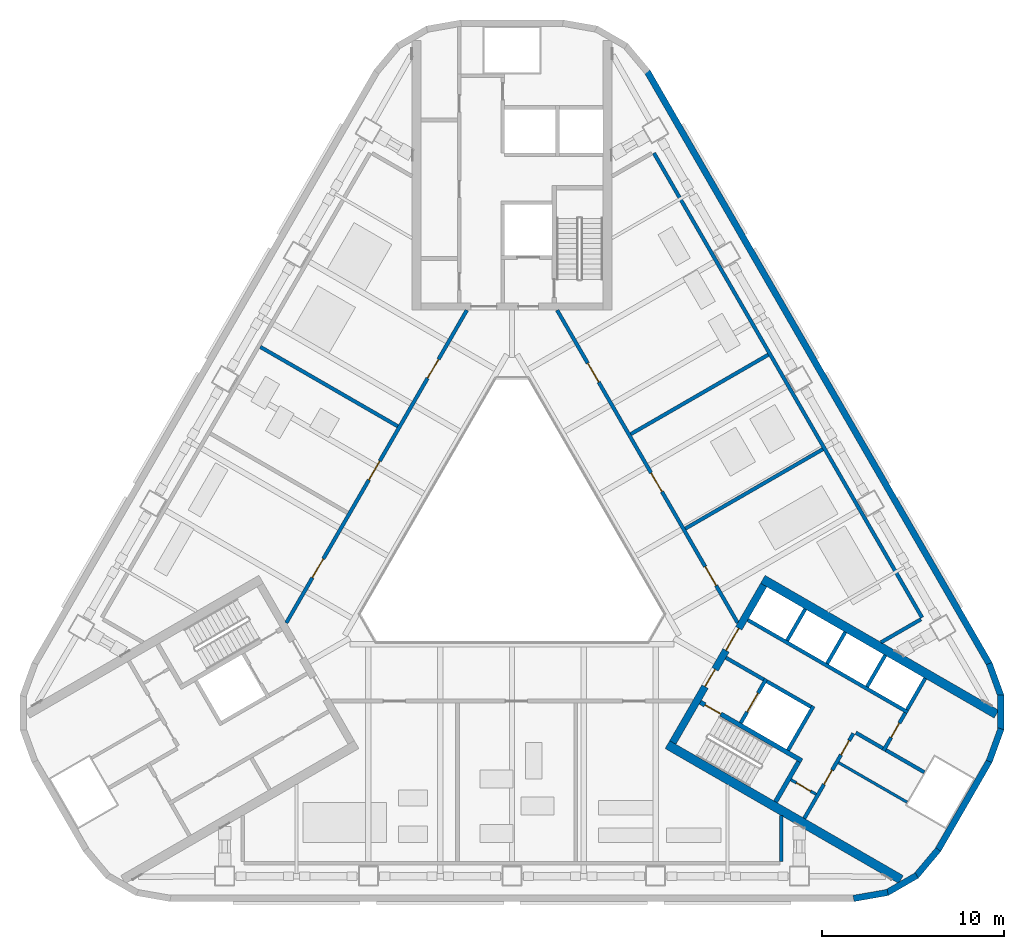
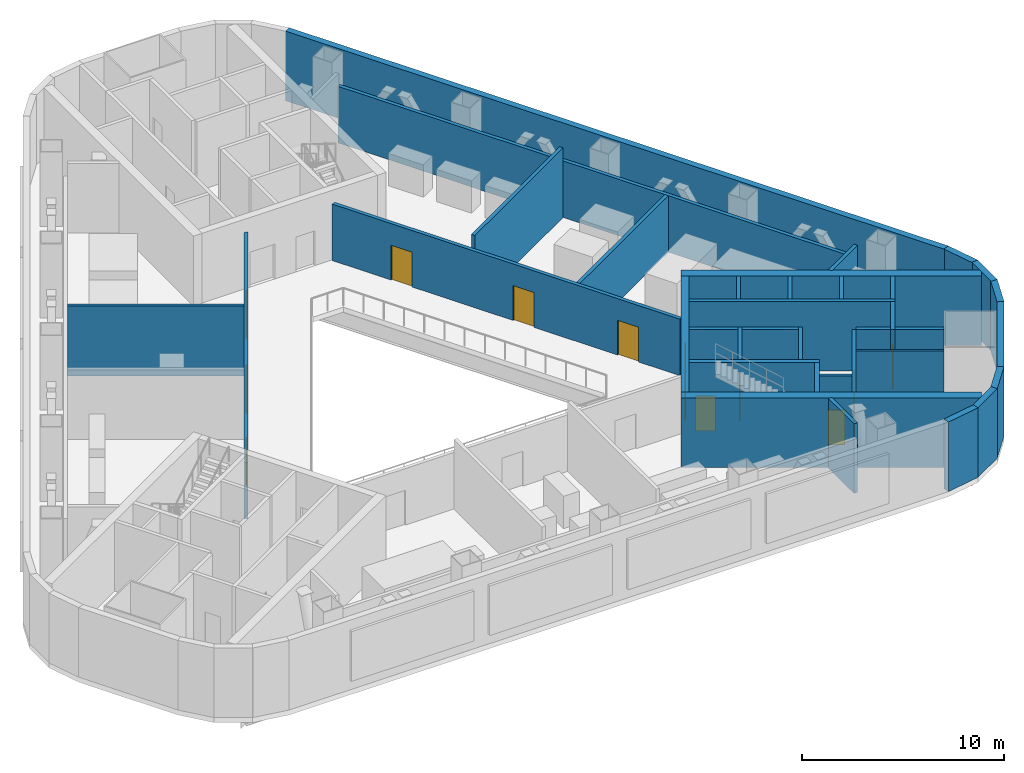
# One storey, part 8 of 15: 36 walls, 14 doors, 14 openings.
"""IFC4 building model written with IfcOpenShell, lengths in metres."""

from ifc_helpers import new_model, si_unit, direction, frame, frame_2d, origin, place, context, subcontext, project, spatial, rectangle, extrude, material, layer, layer_set, type_object, element, fill, save


model = new_model("IFC4")

# Units and contexts
model_context = context("Model", 3, precision=1e-05, world=origin(), true_north=direction((0.0, 1.0)))
body_context = subcontext(model_context, "Body", "Model", "MODEL_VIEW")
ifc_project = project(units=[si_unit("LENGTHUNIT", "METRE"), si_unit("AREAUNIT", "SQUARE_METRE"), si_unit("VOLUMEUNIT", "CUBIC_METRE"), si_unit("PLANEANGLEUNIT", "RADIAN"), si_unit("MASSUNIT", "GRAM", prefix="KILO")], contexts=[model_context])

# Site, building, storey
site_placement = place(None, origin())
site = spatial("IfcSite", under=ifc_project, at=site_placement, CompositionType="ELEMENT")
building_placement = place(site_placement, origin())
building = spatial("IfcBuilding", under=site, at=building_placement, Name="Apuvela Tower Hotel", CompositionType="ELEMENT")
storey_placement = place(building_placement, frame((0.0, 0.0, 37.5)))
storey = spatial("IfcBuildingStorey", under=building, at=storey_placement, Name="L06 Plant", CompositionType="ELEMENT", Elevation=37.5)

# Wall, openings, doors
ifc_material_1 = material(Name="Concrete C50/60", Category="concrete")
ifc_layer_1 = layer(ifc_material_1, 0.39990234375)
ifc_layer_set_1 = layer_set([ifc_layer_1], Name="COR-WALL-CORE-400")
wall_type_1 = type_object("IfcWallType", Name="COR-WALL-CORE-400", PredefinedType="SHEAR", material=ifc_layer_set_1)
wall_1_placement = place(storey_placement, frame((8.844970703125, -10.880126953125, 0.0), z_axis=(0.0, 0.0, 1.0), x_axis=(0.500004234368, 0.866022959057, 0.0)))
wall_1 = element("IfcWall", 1, at=wall_1_placement, inside=storey, type_object=wall_type_1, Name="Core wall SE", PredefinedType="SHEAR", context=body_context, shape_type="SweptSolid", body=[
    extrude(rectangle(XDim=10.0, YDim=0.39990234375, at=frame_2d((5.0, 0.0))), origin(), (0.0, 0.0, 1.0), 4.199951171875),
])
opening_1_placement = place(wall_1_placement, frame((3.550048828125, 0.0, 0.0)))
opening_1 = element("IfcOpeningElement", 2, at=opening_1_placement, cuts=wall_1, Name="Opening E-FD", PredefinedType="OPENING", context=body_context, shape_type="SweptSolid", body=[
    extrude(rectangle(XDim=1.10009765625, YDim=2.10009765625, at=frame_2d((0.550048828125, 1.050048828125))), frame((0.0, 0.2099609375, 0.0), z_axis=(0.0, -1.0, 0.0), x_axis=(1.0, 0.0, 0.0)), (0.0, 0.0, 1.0), 0.419921875),
])
opening_2_placement = place(wall_1_placement, frame((5.85009765625, 0.0, 0.0)))
opening_2 = element("IfcOpeningElement", 3, at=opening_2_placement, cuts=wall_1, Name="Opening E-GD", PredefinedType="OPENING", context=body_context, shape_type="SweptSolid", body=[
    extrude(rectangle(XDim=1.39990234375, YDim=2.10009765625, at=frame_2d((0.699951171875, 1.050048828125))), frame((0.0, 0.2099609375, 0.0), z_axis=(0.0, -1.0, 0.0), x_axis=(1.0, 0.0, 0.0)), (0.0, 0.0, 1.0), 0.419921875),
])
ifc_material_2 = material(Name="Steel fire door, powder coated", Category="steel")
door_type_1 = type_object("IfcDoorType", Name="COR-FD-1100", OperationType="NOTDEFINED", PredefinedType="DOOR", material=ifc_material_2)
door_1_placement = place(opening_1_placement, frame((1.10009765625, 0.0, 0.0), z_axis=(0.0, 0.0, 1.0), x_axis=(-1.0, 0.0, 0.0)))
door_1 = element("IfcDoor", 4, at=door_1_placement, inside=storey, type_object=door_type_1, Name="Firefighting lobby door E-FD", OperationType="SINGLE_SWING_LEFT", OverallHeight=2.10009765625, OverallWidth=1.10009765625, PredefinedType="DOOR", context=body_context, shape_type="SweptSolid", body=[
    extrude(rectangle(XDim=1.10009765625, YDim=2.10009765625, at=frame_2d((0.550048828125, 1.050048828125))), frame((0.0, 0.02490234375, 0.0), z_axis=(0.0, -1.0, 0.0), x_axis=(1.0, 0.0, 0.0)), (0.0, 0.0, 1.0), 0.050048828125),
])
fill(opening_1, door_1)
ifc_material_3 = material(Name="Glazed steel fire door", Category="steel")
door_type_2 = type_object("IfcDoorType", Name="COR-GD-1400", OperationType="DOUBLE_DOOR_SINGLE_SWING", PredefinedType="DOOR", material=ifc_material_3)
door_2_placement = place(opening_2_placement, frame((1.39990234375, 0.0, 0.0), z_axis=(0.0, 0.0, 1.0), x_axis=(-1.0, 0.0, 0.0)))
door_2 = element("IfcDoor", 5, at=door_2_placement, inside=storey, type_object=door_type_2, Name="Lift lobby door E-GD", OperationType="DOUBLE_DOOR_SINGLE_SWING", OverallHeight=2.10009765625, OverallWidth=1.39990234375, PredefinedType="DOOR", context=body_context, shape_type="SweptSolid", body=[
    extrude(rectangle(XDim=1.39990234375, YDim=2.10009765625, at=frame_2d((0.699951171875, 1.050048828125))), frame((0.0, 0.02490234375, 0.0), z_axis=(0.0, -1.0, 0.0), x_axis=(1.0, 0.0, 0.0)), (0.0, 0.0, 1.0), 0.050048828125),
])
fill(opening_2, door_2)

# Walls
ifc_layer_2 = layer(ifc_material_1, 0.5)
ifc_layer_set_2 = layer_set([ifc_layer_2], Name="COR-WALL-CORE-500")
wall_type_2 = type_object("IfcWallType", Name="COR-WALL-CORE-500", PredefinedType="SHEAR", material=ifc_layer_set_2)
for number, where, z_axis, x_axis, name in (
    (6, (8.546630859375, -10.99658203125, 0.0), (0.0, 0.0, 1.0), (0.866025009528, -0.500000682871, 0.0), "Core wall SE"),
    (7, (13.796630859375, -1.9033203125, 0.0), (0.0, 0.0, 1.0), (0.866025009528, -0.500000682871, 0.0), "Core wall SE"),
):
    element("IfcWall", number, at=place(storey_placement, frame(where, z_axis=z_axis, x_axis=x_axis)), inside=storey, type_object=wall_type_2, Name=name, PredefinedType="SHEAR", context=body_context, shape_type="SweptSolid", body=[
        extrude(rectangle(XDim=14.8369140625, YDim=0.5, at=frame_2d((7.41845703125, 0.0))), origin(), (0.0, 0.0, 1.0), 4.199951171875),
    ])

# Wall, opening, door
ifc_material_4 = material(Name="Blockwork 150 mm plastered", Category="masonry")
ifc_layer_3 = layer(ifc_material_4, 0.14990234375)
ifc_layer_set_3 = layer_set([ifc_layer_3], Name="COR-WALL-PART-150")
wall_type_3 = type_object("IfcWallType", Name="COR-WALL-PART-150", PredefinedType="PARTITIONING", material=ifc_layer_set_3)
wall_2_placement = place(storey_placement, frame((15.341552734375, -12.927734375, 0.0), z_axis=(0.0, 0.0, 1.0), x_axis=(0.865989903783, -0.500061482766, 0.0)))
wall_2 = element("IfcWall", 8, at=wall_2_placement, inside=storey, type_object=wall_type_3, Name="Partition SE", PredefinedType="PARTITIONING", context=body_context, shape_type="SweptSolid", body=[
    extrude(rectangle(XDim=1.599853515625, YDim=0.14990234375, at=frame_2d((0.7998046875, 0.0))), origin(), (0.0, 0.0, 1.0), 4.199951171875),
])
opening_3_placement = place(wall_2_placement, frame((0.35009765625, 0.0, 0.0)))
opening_3 = element("IfcOpeningElement", 9, at=opening_3_placement, cuts=wall_2, Name="Opening E-RD", PredefinedType="OPENING", context=body_context, shape_type="SweptSolid", body=[
    extrude(rectangle(XDim=0.89990234375, YDim=2.10009765625, at=frame_2d((0.449951171875, 1.050048828125))), frame((0.0, 0.0849609375, 0.0), z_axis=(0.0, -1.0, 0.0), x_axis=(1.0, 0.0, 0.0)), (0.0, 0.0, 1.0), 0.169921875),
])
ifc_material_5 = material(Name="Steel access door, powder coated", Category="steel")
door_type_3 = type_object("IfcDoorType", Name="COR-RD-900", OperationType="NOTDEFINED", PredefinedType="DOOR", material=ifc_material_5)
door_3_placement = place(opening_3_placement, frame((0.89990234375, 0.0, 0.0), z_axis=(0.0, 0.0, 1.0), x_axis=(-1.0, 0.0, 0.0)))
door_3 = element("IfcDoor", 10, at=door_3_placement, inside=storey, type_object=door_type_3, Name="Riser door E-RD", OperationType="SINGLE_SWING_LEFT", OverallHeight=2.10009765625, OverallWidth=0.89990234375, PredefinedType="DOOR", context=body_context, shape_type="SweptSolid", body=[
    extrude(rectangle(XDim=0.89990234375, YDim=2.10009765625, at=frame_2d((0.449951171875, 1.050048828125))), frame((0.0, 0.02490234375, 0.0), z_axis=(0.0, -1.0, 0.0), x_axis=(1.0, 0.0, 0.0)), (0.0, 0.0, 1.0), 0.050048828125),
])
fill(opening_3, door_3)

# Wall
wall_3_placement = place(storey_placement, frame((17.962890625, -11.9873046875, 0.0), z_axis=(0.0, 0.0, 1.0), x_axis=(0.866013608182, -0.500020430026, 0.0)))
element("IfcWall", 11, at=wall_3_placement, inside=storey, type_object=wall_type_3, Name="Partition SE", PredefinedType="PARTITIONING", context=body_context, shape_type="SweptSolid", body=[
    extrude(rectangle(XDim=4.349853515625, YDim=0.14990234375, at=frame_2d((2.1748046875, 0.0))), origin(), (0.0, 0.0, 1.0), 4.199951171875),
])

# Wall, openings, doors
ifc_material_6 = material(Name="Blockwork 200 mm plastered", Category="masonry")
ifc_layer_4 = layer(ifc_material_6, 0.199951171875)
ifc_layer_set_4 = layer_set([ifc_layer_4], Name="COR-WALL-PART-200")
wall_type_4 = type_object("IfcWallType", Name="COR-WALL-PART-200", PredefinedType="PARTITIONING", material=ifc_layer_set_4)
wall_4_placement = place(storey_placement, frame((16.076171875, -15.05517578125, 0.0), z_axis=(0.0, 0.0, 1.0), x_axis=(0.499995103361, 0.866028230842, 0.0)))
wall_4 = element("IfcWall", 12, at=wall_4_placement, inside=storey, type_object=wall_type_4, Name="Partition SE", PredefinedType="PARTITIONING", context=body_context, shape_type="SweptSolid", body=[
    extrude(rectangle(XDim=5.39990234375, YDim=0.199951171875, at=frame_2d((2.699951171875, 0.0))), origin(), (0.0, 0.0, 1.0), 4.199951171875),
])
opening_4_placement = place(wall_4_placement, frame((2.16259765625, 0.0, 0.0)))
opening_4 = element("IfcOpeningElement", 13, at=opening_4_placement, cuts=wall_4, Name="Opening E-RS1", PredefinedType="OPENING", context=body_context, shape_type="SweptSolid", body=[
    extrude(rectangle(XDim=0.89990234375, YDim=2.10009765625, at=frame_2d((0.449951171875, 1.050048828125))), frame((0.0, 0.10986328125, 0.0), z_axis=(0.0, -1.0, 0.0), x_axis=(1.0, 0.0, 0.0)), (0.0, 0.0, 1.0), 0.219970703125),
])
opening_5_placement = place(wall_4_placement, frame((4.03759765625, 0.0, 0.0)))
opening_5 = element("IfcOpeningElement", 14, at=opening_5_placement, cuts=wall_4, Name="Opening E-RS2", PredefinedType="OPENING", context=body_context, shape_type="SweptSolid", body=[
    extrude(rectangle(XDim=0.89990234375, YDim=2.10009765625, at=frame_2d((0.449951171875, 1.050048828125))), frame((0.0, 0.10986328125, 0.0), z_axis=(0.0, -1.0, 0.0), x_axis=(1.0, 0.0, 0.0)), (0.0, 0.0, 1.0), 0.219970703125),
])
door_type_4 = type_object("IfcDoorType", Name="COR-DR-900", OperationType="NOTDEFINED", PredefinedType="DOOR", material=ifc_material_2)
door_4_placement = place(opening_4_placement, frame((0.89990234375, 0.0, 0.0), z_axis=(0.0, 0.0, 1.0), x_axis=(-1.0, 0.0, 0.0)))
door_4 = element("IfcDoor", 15, at=door_4_placement, inside=storey, type_object=door_type_4, Name="Store door E-RS1", OperationType="SINGLE_SWING_LEFT", OverallHeight=2.10009765625, OverallWidth=0.89990234375, PredefinedType="DOOR", context=body_context, shape_type="SweptSolid", body=[
    extrude(rectangle(XDim=0.89990234375, YDim=2.10009765625, at=frame_2d((0.449951171875, 1.050048828125))), frame((0.0, 0.02490234375, 0.0), z_axis=(0.0, -1.0, 0.0), x_axis=(1.0, 0.0, 0.0)), (0.0, 0.0, 1.0), 0.050048828125),
])
fill(opening_4, door_4)
door_5_placement = place(opening_5_placement, frame((0.89990234375, 0.0, 0.0), z_axis=(0.0, 0.0, 1.0), x_axis=(-1.0, 0.0, 0.0)))
door_5 = element("IfcDoor", 16, at=door_5_placement, inside=storey, type_object=door_type_4, Name="Store door E-RS2", OperationType="SINGLE_SWING_LEFT", OverallHeight=2.10009765625, OverallWidth=0.89990234375, PredefinedType="DOOR", context=body_context, shape_type="SweptSolid", body=[
    extrude(rectangle(XDim=0.89990234375, YDim=2.10009765625, at=frame_2d((0.449951171875, 1.050048828125))), frame((0.0, 0.02490234375, 0.0), z_axis=(0.0, -1.0, 0.0), x_axis=(1.0, 0.0, 0.0)), (0.0, 0.0, 1.0), 0.050048828125),
])
fill(opening_5, door_5)

# Wall
ifc_layer_5 = layer(ifc_material_1, 0.199951171875)
ifc_layer_set_5 = layer_set([ifc_layer_5], Name="COR-WALL-SHAFT-200")
wall_type_5 = type_object("IfcWallType", Name="COR-WALL-SHAFT-200", PredefinedType="SHEAR", material=ifc_layer_set_5)
wall_5_placement = place(storey_placement, frame((15.181396484375, -11.305419921875, 0.0), z_axis=(0.0, 0.0, 1.0), x_axis=(0.49994636267, 0.866056369097, 0.0)))
element("IfcWall", 17, at=wall_5_placement, inside=storey, type_object=wall_type_5, Name="Shaft wall SE", PredefinedType="SHEAR", context=body_context, shape_type="SweptSolid", body=[
    extrude(rectangle(XDim=2.800048828125, YDim=0.199951171875, at=frame_2d((1.39990234375, 0.0))), origin(), (0.0, 0.0, 1.0), 4.199951171875),
])

# Wall, opening, door
wall_6_placement = place(storey_placement, frame((12.583251953125, -9.805419921875, 0.0), z_axis=(0.0, 0.0, 1.0), x_axis=(0.49994636267, 0.866056369097, 0.0)))
wall_6 = element("IfcWall", 18, at=wall_6_placement, inside=storey, type_object=wall_type_5, Name="Shaft wall SE", PredefinedType="SHEAR", context=body_context, shape_type="SweptSolid", body=[
    extrude(rectangle(XDim=2.800048828125, YDim=0.199951171875, at=frame_2d((1.39990234375, 0.0))), origin(), (0.0, 0.0, 1.0), 4.199951171875),
])
opening_6_placement = place(wall_6_placement, frame((0.699951171875, 0.0, 0.0)))
opening_6 = element("IfcOpeningElement", 19, at=opening_6_placement, cuts=wall_6, Name="Opening E-LD-FS3", PredefinedType="OPENING", context=body_context, shape_type="SweptSolid", body=[
    extrude(rectangle(XDim=1.199951171875, YDim=2.10009765625, at=frame_2d((0.60009765625, 1.050048828125))), frame((0.0, 0.10986328125, 0.0), z_axis=(0.0, -1.0, 0.0), x_axis=(1.0, 0.0, 0.0)), (0.0, 0.0, 1.0), 0.219970703125),
])
ifc_material_7 = material(Name="Stainless steel lift landing door", Category="steel")
door_type_5 = type_object("IfcDoorType", Name="COR-LD-1200", OperationType="DOUBLE_DOOR_SLIDING", PredefinedType="DOOR", material=ifc_material_7)
door_6_placement = place(opening_6_placement, origin())
door_6 = element("IfcDoor", 20, at=door_6_placement, inside=storey, type_object=door_type_5, Name="Lift landing door E-LD-FS3", OperationType="DOUBLE_DOOR_SLIDING", OverallHeight=2.10009765625, OverallWidth=1.199951171875, PredefinedType="DOOR", context=body_context, shape_type="SweptSolid", body=[
    extrude(rectangle(XDim=1.199951171875, YDim=2.10009765625, at=frame_2d((0.60009765625, 1.050048828125))), frame((0.0, 0.02490234375, 0.0), z_axis=(0.0, -1.0, 0.0), x_axis=(1.0, 0.0, 0.0)), (0.0, 0.0, 1.0), 0.050048828125),
])
fill(opening_6, door_6)

# Walls
wall_7_placement = place(storey_placement, frame((11.76806640625, -6.217041015625, 0.0), z_axis=(0.0, 0.0, 1.0), x_axis=(0.866050077142, -0.499957262057, 0.0)))
element("IfcWall", 21, at=wall_7_placement, inside=storey, type_object=wall_type_5, Name="Shaft wall SE", PredefinedType="SHEAR", context=body_context, shape_type="SweptSolid", body=[
    extrude(rectangle(XDim=2.400146484375, YDim=0.199951171875, at=frame_2d((1.2001953125, 0.0))), origin(), (0.0, 0.0, 1.0), 4.199951171875),
])
wall_8_placement = place(storey_placement, frame((14.019775390625, -7.51708984375, 0.0), z_axis=(0.0, 0.0, 1.0), x_axis=(0.866034573852, -0.49998411664, 0.0)))
element("IfcWall", 22, at=wall_8_placement, inside=storey, type_object=wall_type_5, Name="Shaft wall SE", PredefinedType="SHEAR", context=body_context, shape_type="SweptSolid", body=[
    extrude(rectangle(XDim=2.7998046875, YDim=0.199951171875, at=frame_2d((1.39990234375, 0.0))), origin(), (0.0, 0.0, 1.0), 4.199951171875),
])
wall_9_placement = place(storey_placement, frame((12.968017578125, -4.138427734375, 0.0), z_axis=(0.0, 0.0, 1.0), x_axis=(0.866028328073, -0.49999493495, 0.0)))
element("IfcWall", 23, at=wall_9_placement, inside=storey, type_object=wall_type_5, Name="Shaft wall SE", PredefinedType="SHEAR", context=body_context, shape_type="SweptSolid", body=[
    extrude(rectangle(XDim=10.16015625, YDim=0.199951171875, at=frame_2d((5.080078125, 0.0))), origin(), (0.0, 0.0, 1.0), 4.199951171875),
])

# Wall, opening, door
wall_10_placement = place(storey_placement, frame((20.430419921875, -11.33349609375, 0.0), z_axis=(0.0, 0.0, 1.0), x_axis=(0.500001309137, 0.866024647952, 0.0)))
wall_10 = element("IfcWall", 24, at=wall_10_placement, inside=storey, type_object=wall_type_5, Name="Shaft wall SE", PredefinedType="SHEAR", context=body_context, shape_type="SweptSolid", body=[
    extrude(rectangle(XDim=2.39990234375, YDim=0.199951171875, at=frame_2d((1.199951171875, 0.0))), origin(), (0.0, 0.0, 1.0), 4.199951171875),
])
opening_7_placement = place(wall_10_placement, frame((0.85009765625, 0.0, 0.0)))
opening_7 = element("IfcOpeningElement", 25, at=opening_7_placement, cuts=wall_10, Name="Opening E-REP", PredefinedType="OPENING", context=body_context, shape_type="SweptSolid", body=[
    extrude(rectangle(XDim=0.89990234375, YDim=2.10009765625, at=frame_2d((0.449951171875, 1.050048828125))), frame((0.0, 0.10986328125, 0.0), z_axis=(0.0, -1.0, 0.0), x_axis=(1.0, 0.0, 0.0)), (0.0, 0.0, 1.0), 0.219970703125),
])
door_7_placement = place(opening_7_placement, frame((0.89990234375, 0.0, 0.0), z_axis=(0.0, 0.0, 1.0), x_axis=(-1.0, 0.0, 0.0)))
door_7 = element("IfcDoor", 26, at=door_7_placement, inside=storey, type_object=door_type_4, Name="Store door E-REP", OperationType="SINGLE_SWING_RIGHT", OverallHeight=2.10009765625, OverallWidth=0.89990234375, PredefinedType="DOOR", context=body_context, shape_type="SweptSolid", body=[
    extrude(rectangle(XDim=0.89990234375, YDim=2.10009765625, at=frame_2d((0.449951171875, 1.050048828125))), frame((0.0, 0.02490234375, 0.0), z_axis=(0.0, -1.0, 0.0), x_axis=(1.0, 0.0, 0.0)), (0.0, 0.0, 1.0), 0.050048828125),
])
fill(opening_7, door_7)

# Walls
wall_11_placement = place(storey_placement, frame((18.912841796875, -10.342041015625, 0.0), z_axis=(0.0, 0.0, 1.0), x_axis=(0.866038183914, -0.499977863513, 0.0)))
element("IfcWall", 27, at=wall_11_placement, inside=storey, type_object=wall_type_5, Name="Shaft wall SE", PredefinedType="SHEAR", context=body_context, shape_type="SweptSolid", body=[
    extrude(rectangle(XDim=1.7099609375, YDim=0.199951171875, at=frame_2d((0.85498046875, 0.0))), origin(), (0.0, 0.0, 1.0), 4.199951171875),
])
for number, where, z_axis, x_axis, name in (
    (28, (15.131103515625, -5.27197265625, 0.0), (0.0, 0.0, 1.0), (0.499972520799, 0.866041268327, 0.0), "Shaft wall SE"),
    (29, (17.330810546875, -6.5419921875, 0.0), (0.0, 0.0, 1.0), (0.499972520799, 0.866041268327, 0.0), "Shaft wall SE"),
    (30, (19.530517578125, -7.81201171875, 0.0), (0.0, 0.0, 1.0), (0.499972520799, 0.866041268327, 0.0), "Shaft wall SE"),
    (31, (21.73046875, -9.081787109375, 0.0), (0.0, 0.0, 1.0), (0.50002537861, 0.866010750942, 0.0), "Shaft wall SE"),
):
    element("IfcWall", number, at=place(storey_placement, frame(where, z_axis=z_axis, x_axis=x_axis)), inside=storey, type_object=wall_type_5, Name=name, PredefinedType="SHEAR", context=body_context, shape_type="SweptSolid", body=[
        extrude(rectangle(XDim=2.0, YDim=0.199951171875, at=frame_2d((1.0, 0.0))), origin(), (0.0, 0.0, 1.0), 4.199951171875),
    ])
wall_12_placement = place(storey_placement, frame((20.56689453125, -11.297119140625, 0.0), z_axis=(0.0, 0.0, 1.0), x_axis=(0.866048967903, -0.499959183527, 0.0)))
element("IfcWall", 32, at=wall_12_placement, inside=storey, type_object=wall_type_5, Name="Shaft wall SE", PredefinedType="SHEAR", context=body_context, shape_type="SweptSolid", body=[
    extrude(rectangle(XDim=2.440185546875, YDim=0.199951171875, at=frame_2d((1.22021484375, 0.0))), origin(), (0.0, 0.0, 1.0), 4.199951171875),
])

# Wall, opening, door
ifc_layer_6 = layer(ifc_material_1, 0.25)
ifc_layer_set_6 = layer_set([ifc_layer_6], Name="COR-WALL-STAIR-250")
wall_type_6 = type_object("IfcWallType", Name="COR-WALL-STAIR-250", PredefinedType="SHEAR", material=ifc_layer_set_6)
wall_13_placement = place(storey_placement, frame((10.355712890625, -8.66357421875, 0.0), z_axis=(0.0, 0.0, 1.0), x_axis=(0.866028629588, -0.499994412703, 0.0)))
wall_13 = element("IfcWall", 33, at=wall_13_placement, inside=storey, type_object=wall_type_6, Name="Stair wall SE", PredefinedType="SHEAR", context=body_context, shape_type="SweptSolid", body=[
    extrude(rectangle(XDim=6.44970703125, YDim=0.25, at=frame_2d((3.224853515625, 0.0))), origin(), (0.0, 0.0, 1.0), 4.199951171875),
])
opening_8_placement = place(wall_13_placement, frame((0.300048828125, 0.0, 0.0)))
opening_8 = element("IfcOpeningElement", 34, at=opening_8_placement, cuts=wall_13, Name="Opening E-SD", PredefinedType="OPENING", context=body_context, shape_type="SweptSolid", body=[
    extrude(rectangle(XDim=1.0, YDim=2.10009765625, at=frame_2d((0.5, 1.050048828125))), frame((0.0, 0.135009765625, 0.0), z_axis=(0.0, -1.0, 0.0), x_axis=(1.0, 0.0, 0.0)), (0.0, 0.0, 1.0), 0.27001953125),
])
door_type_6 = type_object("IfcDoorType", Name="COR-SD-1000", OperationType="NOTDEFINED", PredefinedType="DOOR", material=ifc_material_2)
door_8_placement = place(opening_8_placement, frame((1.0, 0.0, 0.0), z_axis=(0.0, 0.0, 1.0), x_axis=(-1.0, 0.0, 0.0)))
door_8 = element("IfcDoor", 35, at=door_8_placement, inside=storey, type_object=door_type_6, Name="Stair door E-SD", OperationType="SINGLE_SWING_LEFT", OverallHeight=2.10009765625, OverallWidth=1.0, PredefinedType="DOOR", context=body_context, shape_type="SweptSolid", body=[
    extrude(rectangle(XDim=1.0, YDim=2.10009765625, at=frame_2d((0.5, 1.050048828125))), frame((0.0, 0.02490234375, 0.0), z_axis=(0.0, -1.0, 0.0), x_axis=(1.0, 0.0, 0.0)), (0.0, 0.0, 1.0), 0.050048828125),
])
fill(opening_8, door_8)

# Walls
wall_14_placement = place(storey_placement, frame((14.49560546875, -14.142578125, 0.0), z_axis=(0.0, 0.0, 1.0), x_axis=(0.500062241894, 0.865989465428, 0.0)))
element("IfcWall", 36, at=wall_14_placement, inside=storey, type_object=wall_type_6, Name="Stair wall SE", PredefinedType="SHEAR", context=body_context, shape_type="SweptSolid", body=[
    extrude(rectangle(XDim=2.550048828125, YDim=0.25, at=frame_2d((1.27490234375, 0.0))), origin(), (0.0, 0.0, 1.0), 4.199951171875),
])
ifc_material_8 = material(Name="Concrete C40/50, dark pigmented precast panel", Category="concrete")
ifc_layer_7 = layer(ifc_material_8, 0.35009765625)
ifc_layer_set_7 = layer_set([ifc_layer_7], Name="ENV-WALL-350")
wall_type_7 = type_object("IfcWallType", Name="ENV-WALL-350", PredefinedType="SOLIDWALL", material=ifc_layer_set_7)
wall_15_placement = place(storey_placement, frame((18.785400390625, -19.457763671875, 0.0), z_axis=(0.0, 0.0, 1.0), x_axis=(0.984798995425, 0.173697837091, 0.0)))
element("IfcWall", 37, at=wall_15_placement, inside=storey, type_object=wall_type_7, Name="External wall L06 Plant-16", PredefinedType="SOLIDWALL", context=body_context, shape_type="SweptSolid", body=[
    extrude(rectangle(XDim=1.91015625, YDim=0.35009765625, at=frame_2d((0.955078125, 0.0))), origin(), (0.0, 0.0, 1.0), 4.199951171875),
])
for number, where, z_axis, x_axis, name in (
    (38, (20.609619140625, -19.146728515625, 0.0), (0.0, 0.0, 1.0), (0.866000389056, 0.500043324278, 0.0), "External wall L06 Plant-17"),
    (39, (22.217041015625, -18.230712890625, 0.0), (0.0, 0.0, 1.0), (0.642808304945, 0.766027077259, 0.0), "External wall L06 Plant-18"),
):
    element("IfcWall", number, at=place(storey_placement, frame(where, z_axis=z_axis, x_axis=x_axis)), inside=storey, type_object=wall_type_7, Name=name, PredefinedType="SOLIDWALL", context=body_context, shape_type="SweptSolid", body=[
        extrude(rectangle(XDim=1.909912109375, YDim=0.35009765625, at=frame_2d((0.955078125, 0.0))), origin(), (0.0, 0.0, 1.0), 4.199951171875),
    ])
wall_16_placement = place(storey_placement, frame((23.427490234375, -16.79248046875, 0.0), z_axis=(0.0, 0.0, 1.0), x_axis=(0.499986410639, 0.866033249463, 0.0)))
element("IfcWall", 40, at=wall_16_placement, inside=storey, type_object=wall_type_7, Name="External wall L06 Plant-19", PredefinedType="SOLIDWALL", context=body_context, shape_type="SweptSolid", body=[
    extrude(rectangle(XDim=5.657958984375, YDim=0.35009765625, at=frame_2d((2.8291015625, 0.0))), origin(), (0.0, 0.0, 1.0), 4.199951171875),
])
for number, where, z_axis, x_axis, name in (
    (41, (26.24365234375, -11.920166015625, 0.0), (0.0, 0.0, 1.0), (0.342030395486, 0.939688889242, 0.0), "External wall L06 Plant-20"),
    (42, (26.88623046875, -10.18505859375, 0.0), (0.0, 0.0, 1.0), (0.0, 1.0, 0.0), "External wall L06 Plant-21"),
    (43, (26.89697265625, -8.334716796875, 0.0), (0.0, 0.0, 1.0), (-0.342030395486, 0.939688889242, 0.0), "External wall L06 Plant-22"),
):
    element("IfcWall", number, at=place(storey_placement, frame(where, z_axis=z_axis, x_axis=x_axis)), inside=storey, type_object=wall_type_7, Name=name, PredefinedType="SOLIDWALL", context=body_context, shape_type="SweptSolid", body=[
        extrude(rectangle(XDim=1.91015625, YDim=0.35009765625, at=frame_2d((0.955078125, 0.0))), origin(), (0.0, 0.0, 1.0), 4.199951171875),
    ])
wall_17_placement = place(storey_placement, frame((26.25634765625, -6.5673828125, 0.0), z_axis=(0.0, 0.0, 1.0), x_axis=(-0.499998380999, 0.866026338513, 0.0)))
element("IfcWall", 44, at=wall_17_placement, inside=storey, type_object=wall_type_7, Name="External wall L06 Plant-23", PredefinedType="SOLIDWALL", context=body_context, shape_type="SweptSolid", body=[
    extrude(rectangle(XDim=37.63134765625, YDim=0.35009765625, at=frame_2d((18.815673828125, 0.0))), origin(), (0.0, 0.0, 1.0), 4.199951171875),
])
ifc_material_9 = material(Name="Reinforced blockwork B15", Category="masonry")
ifc_layer_8 = layer(ifc_material_9, 0.199951171875)
ifc_layer_set_8 = layer_set([ifc_layer_8], Name="SPC-WALL-PLANT")
wall_type_8 = type_object("IfcWallType", Name="SPC-WALL-PLANT", PredefinedType="PARTITIONING", material=ifc_layer_set_8)
for number, where, z_axis, x_axis, name in (
    (45, (14.800048828125, -17.429931640625, 0.0), (0.0, 0.0, 1.0), (0.0, 1.0, 0.0), "Wall L06-S-P06"),
    (46, (22.494873046875, -4.102294921875, 0.0), (0.0, 0.0, 1.0), (-0.866065287345, -0.499930913282, 0.0), "Wall L06-NE-P03"),
):
    element("IfcWall", number, at=place(storey_placement, frame(where, z_axis=z_axis, x_axis=x_axis)), inside=storey, type_object=wall_type_8, Name=name, PredefinedType="PARTITIONING", context=body_context, shape_type="SweptSolid", body=[
        extrude(rectangle(XDim=2.534423828125, YDim=0.199951171875, at=frame_2d((1.26708984375, 0.0))), origin(), (0.0, 0.0, 1.0), 4.199951171875),
    ])
wall_18_placement = place(storey_placement, frame((17.0947265625, 5.2509765625, 0.0), z_axis=(0.0, 0.0, 1.0), x_axis=(-0.866023051915, -0.500004073536, 0.0)))
element("IfcWall", 47, at=wall_18_placement, inside=storey, type_object=wall_type_8, Name="Wall L06-NE-P04", PredefinedType="PARTITIONING", context=body_context, shape_type="SweptSolid", body=[
    extrude(rectangle(XDim=8.72998046875, YDim=0.199951171875, at=frame_2d((4.364990234375, 0.0))), origin(), (0.0, 0.0, 1.0), 3.409912109375),
])
wall_19_placement = place(storey_placement, frame((14.0947265625, 10.447021484375, 0.0), z_axis=(0.0, 0.0, 1.0), x_axis=(-0.866023051915, -0.500004073536, 0.0)))
element("IfcWall", 48, at=wall_19_placement, inside=storey, type_object=wall_type_8, Name="Wall L06-NE-P05", PredefinedType="PARTITIONING", context=body_context, shape_type="SweptSolid", body=[
    extrude(rectangle(XDim=8.72998046875, YDim=0.199951171875, at=frame_2d((4.364990234375, 0.0))), origin(), (0.0, 0.0, 1.0), 4.199951171875),
])
wall_20_placement = place(storey_placement, frame((22.556396484375, -4.0087890625, 0.0), z_axis=(0.0, 0.0, 1.0), x_axis=(-0.500002084189, 0.866024200474, 0.0)))
element("IfcWall", 49, at=wall_20_placement, inside=storey, type_object=wall_type_8, Name="Wall L06-NE-FUR1", PredefinedType="PARTITIONING", context=body_context, shape_type="SweptSolid", body=[
    extrude(rectangle(XDim=29.499755859375, YDim=0.199951171875, at=frame_2d((14.75, 0.0))), origin(), (0.0, 0.0, 1.0), 3.409912109375),
])

# Wall, openings, doors
wall_21_placement = place(storey_placement, frame((12.4130859375, -4.300048828125, 0.0), z_axis=(0.0, 0.0, 1.0), x_axis=(-0.50000478328, 0.866022642139, 0.0)))
wall_21 = element("IfcWall", 50, at=wall_21_placement, inside=storey, type_object=wall_type_8, Name="Wall L06-NE-CW", PredefinedType="PARTITIONING", context=body_context, shape_type="SweptSolid", body=[
    extrude(rectangle(XDim=19.861083984375, YDim=0.199951171875, at=frame_2d((9.9306640625, 0.0))), origin(), (0.0, 0.0, 1.0), 3.409912109375),
])
opening_9_placement = place(wall_21_placement, frame((2.37109375, 0.0, 0.0)))
opening_9 = element("IfcOpeningElement", 51, at=opening_9_placement, cuts=wall_21, Name="Opening L06-S01", PredefinedType="OPENING", context=body_context, shape_type="SweptSolid", body=[
    extrude(rectangle(XDim=1.199951171875, YDim=2.10009765625, at=frame_2d((0.60009765625, 1.050048828125))), frame((0.0, 0.10986328125, 0.0), z_axis=(0.0, -1.0, 0.0), x_axis=(1.0, 0.0, 0.0)), (0.0, 0.0, 1.0), 0.219970703125),
])
opening_10_placement = place(wall_21_placement, frame((8.33056640625, 0.0, 0.0)))
opening_10 = element("IfcOpeningElement", 52, at=opening_10_placement, cuts=wall_21, Name="Opening L06-S02", PredefinedType="OPENING", context=body_context, shape_type="SweptSolid", body=[
    extrude(rectangle(XDim=1.199951171875, YDim=2.10009765625, at=frame_2d((0.60009765625, 1.050048828125))), frame((0.0, 0.10986328125, 0.0), z_axis=(0.0, -1.0, 0.0), x_axis=(1.0, 0.0, 0.0)), (0.0, 0.0, 1.0), 0.219970703125),
])
opening_11_placement = place(wall_21_placement, frame((15.2900390625, 0.0, 0.0)))
opening_11 = element("IfcOpeningElement", 53, at=opening_11_placement, cuts=wall_21, Name="Opening L06-S03", PredefinedType="OPENING", context=body_context, shape_type="SweptSolid", body=[
    extrude(rectangle(XDim=1.199951171875, YDim=2.10009765625, at=frame_2d((0.60009765625, 1.050048828125))), frame((0.0, 0.10986328125, 0.0), z_axis=(0.0, -1.0, 0.0), x_axis=(1.0, 0.0, 0.0)), (0.0, 0.0, 1.0), 0.219970703125),
])
ifc_material_10 = material(Name="Steel fire door leaf", Category="steel")
door_type_7 = type_object("IfcDoorType", Name="SPC-DOOR-1200-PLANT", OperationType="NOTDEFINED", PredefinedType="DOOR", material=ifc_material_10)
door_9_placement = place(opening_9_placement, frame((1.199951171875, 0.0, 0.0), z_axis=(0.0, 0.0, 1.0), x_axis=(-1.0, 0.0, 0.0)))
door_9 = element("IfcDoor", 54, at=door_9_placement, inside=storey, type_object=door_type_7, Name="L06-S01", OperationType="SINGLE_SWING_RIGHT", OverallHeight=2.10009765625, OverallWidth=1.199951171875, PredefinedType="DOOR", context=body_context, shape_type="SweptSolid", body=[
    extrude(rectangle(XDim=1.199951171875, YDim=2.10009765625, at=frame_2d((0.60009765625, 1.050048828125))), frame((0.0, 0.02490234375, 0.0), z_axis=(0.0, -1.0, 0.0), x_axis=(1.0, 0.0, 0.0)), (0.0, 0.0, 1.0), 0.050048828125),
])
fill(opening_9, door_9)
door_10_placement = place(opening_10_placement, frame((1.199951171875, 0.0, 0.0), z_axis=(0.0, 0.0, 1.0), x_axis=(-1.0, 0.0, 0.0)))
door_10 = element("IfcDoor", 55, at=door_10_placement, inside=storey, type_object=door_type_7, Name="L06-S02", OperationType="SINGLE_SWING_LEFT", OverallHeight=2.10009765625, OverallWidth=1.199951171875, PredefinedType="DOOR", context=body_context, shape_type="SweptSolid", body=[
    extrude(rectangle(XDim=1.199951171875, YDim=2.10009765625, at=frame_2d((0.60009765625, 1.050048828125))), frame((0.0, 0.02490234375, 0.0), z_axis=(0.0, -1.0, 0.0), x_axis=(1.0, 0.0, 0.0)), (0.0, 0.0, 1.0), 0.050048828125),
])
fill(opening_10, door_10)
door_11_placement = place(opening_11_placement, frame((1.199951171875, 0.0, 0.0), z_axis=(0.0, 0.0, 1.0), x_axis=(-1.0, 0.0, 0.0)))
door_11 = element("IfcDoor", 56, at=door_11_placement, inside=storey, type_object=door_type_7, Name="L06-S03", OperationType="SINGLE_SWING_RIGHT", OverallHeight=2.10009765625, OverallWidth=1.199951171875, PredefinedType="DOOR", context=body_context, shape_type="SweptSolid", body=[
    extrude(rectangle(XDim=1.199951171875, YDim=2.10009765625, at=frame_2d((0.60009765625, 1.050048828125))), frame((0.0, 0.02490234375, 0.0), z_axis=(0.0, -1.0, 0.0), x_axis=(1.0, 0.0, 0.0)), (0.0, 0.0, 1.0), 0.050048828125),
])
fill(opening_11, door_11)

# Wall
wall_22_placement = place(storey_placement, frame((-13.8447265625, 10.880126953125, 0.0), z_axis=(0.0, 0.0, 1.0), x_axis=(0.866023051915, -0.500004073536, 0.0)))
element("IfcWall", 57, at=wall_22_placement, inside=storey, type_object=wall_type_8, Name="Wall L06-NW-P04", PredefinedType="PARTITIONING", context=body_context, shape_type="SweptSolid", body=[
    extrude(rectangle(XDim=8.72998046875, YDim=0.199951171875, at=frame_2d((4.364990234375, 0.0))), origin(), (0.0, 0.0, 1.0), 4.199951171875),
])

# Wall, openings, doors
wall_23_placement = place(storey_placement, frame((-2.482421875, 12.900146484375, 0.0), z_axis=(0.0, 0.0, 1.0), x_axis=(-0.50000478328, -0.866022642139, 0.0)))
wall_23 = element("IfcWall", 58, at=wall_23_placement, inside=storey, type_object=wall_type_8, Name="Wall L06-NW-CW", PredefinedType="PARTITIONING", context=body_context, shape_type="SweptSolid", body=[
    extrude(rectangle(XDim=19.861083984375, YDim=0.199951171875, at=frame_2d((9.9306640625, 0.0))), origin(), (0.0, 0.0, 1.0), 3.409912109375),
])
opening_12_placement = place(wall_23_placement, frame((3.12109375, 0.0, 0.0)))
opening_12 = element("IfcOpeningElement", 59, at=opening_12_placement, cuts=wall_23, Name="Opening L06-S04", PredefinedType="OPENING", context=body_context, shape_type="SweptSolid", body=[
    extrude(rectangle(XDim=1.199951171875, YDim=2.10009765625, at=frame_2d((0.60009765625, 1.050048828125))), frame((0.0, 0.10986328125, 0.0), z_axis=(0.0, -1.0, 0.0), x_axis=(1.0, 0.0, 0.0)), (0.0, 0.0, 1.0), 0.219970703125),
])
opening_13_placement = place(wall_23_placement, frame((9.58056640625, 0.0, 0.0)))
opening_13 = element("IfcOpeningElement", 60, at=opening_13_placement, cuts=wall_23, Name="Opening L06-S05", PredefinedType="OPENING", context=body_context, shape_type="SweptSolid", body=[
    extrude(rectangle(XDim=1.199951171875, YDim=2.10009765625, at=frame_2d((0.60009765625, 1.050048828125))), frame((0.0, 0.10986328125, 0.0), z_axis=(0.0, -1.0, 0.0), x_axis=(1.0, 0.0, 0.0)), (0.0, 0.0, 1.0), 0.219970703125),
])
opening_14_placement = place(wall_23_placement, frame((15.7900390625, 0.0, 0.0)))
opening_14 = element("IfcOpeningElement", 61, at=opening_14_placement, cuts=wall_23, Name="Opening L06-S06", PredefinedType="OPENING", context=body_context, shape_type="SweptSolid", body=[
    extrude(rectangle(XDim=1.199951171875, YDim=2.10009765625, at=frame_2d((0.60009765625, 1.050048828125))), frame((0.0, 0.10986328125, 0.0), z_axis=(0.0, -1.0, 0.0), x_axis=(1.0, 0.0, 0.0)), (0.0, 0.0, 1.0), 0.219970703125),
])
door_12_placement = place(opening_12_placement, frame((1.199951171875, 0.0, 0.0), z_axis=(0.0, 0.0, 1.0), x_axis=(-1.0, 0.0, 0.0)))
door_12 = element("IfcDoor", 62, at=door_12_placement, inside=storey, type_object=door_type_7, Name="L06-S04", OperationType="SINGLE_SWING_LEFT", OverallHeight=2.10009765625, OverallWidth=1.199951171875, PredefinedType="DOOR", context=body_context, shape_type="SweptSolid", body=[
    extrude(rectangle(XDim=1.199951171875, YDim=2.10009765625, at=frame_2d((0.60009765625, 1.050048828125))), frame((0.0, 0.02490234375, 0.0), z_axis=(0.0, -1.0, 0.0), x_axis=(1.0, 0.0, 0.0)), (0.0, 0.0, 1.0), 0.050048828125),
])
fill(opening_12, door_12)
door_13_placement = place(opening_13_placement, frame((1.199951171875, 0.0, 0.0), z_axis=(0.0, 0.0, 1.0), x_axis=(-1.0, 0.0, 0.0)))
door_13 = element("IfcDoor", 63, at=door_13_placement, inside=storey, type_object=door_type_7, Name="L06-S05", OperationType="SINGLE_SWING_RIGHT", OverallHeight=2.10009765625, OverallWidth=1.199951171875, PredefinedType="DOOR", context=body_context, shape_type="SweptSolid", body=[
    extrude(rectangle(XDim=1.199951171875, YDim=2.10009765625, at=frame_2d((0.60009765625, 1.050048828125))), frame((0.0, 0.02490234375, 0.0), z_axis=(0.0, -1.0, 0.0), x_axis=(1.0, 0.0, 0.0)), (0.0, 0.0, 1.0), 0.050048828125),
])
fill(opening_13, door_13)
door_14_placement = place(opening_14_placement, frame((1.199951171875, 0.0, 0.0), z_axis=(0.0, 0.0, 1.0), x_axis=(-1.0, 0.0, 0.0)))
door_14 = element("IfcDoor", 64, at=door_14_placement, inside=storey, type_object=door_type_7, Name="L06-S06", OperationType="SINGLE_SWING_LEFT", OverallHeight=2.10009765625, OverallWidth=1.199951171875, PredefinedType="DOOR", context=body_context, shape_type="SweptSolid", body=[
    extrude(rectangle(XDim=1.199951171875, YDim=2.10009765625, at=frame_2d((0.60009765625, 1.050048828125))), frame((0.0, 0.02490234375, 0.0), z_axis=(0.0, -1.0, 0.0), x_axis=(1.0, 0.0, 0.0)), (0.0, 0.0, 1.0), 0.050048828125),
])
fill(opening_14, door_14)

save(model, "model.ifc")
